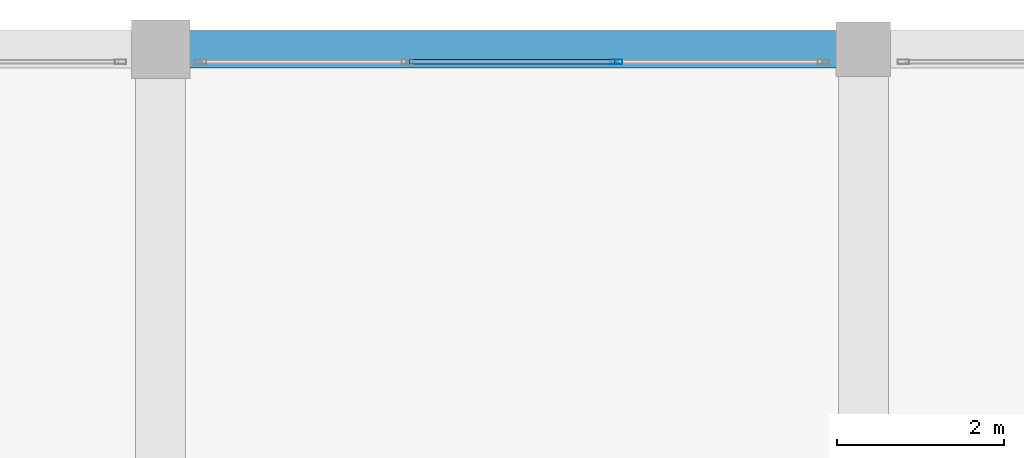
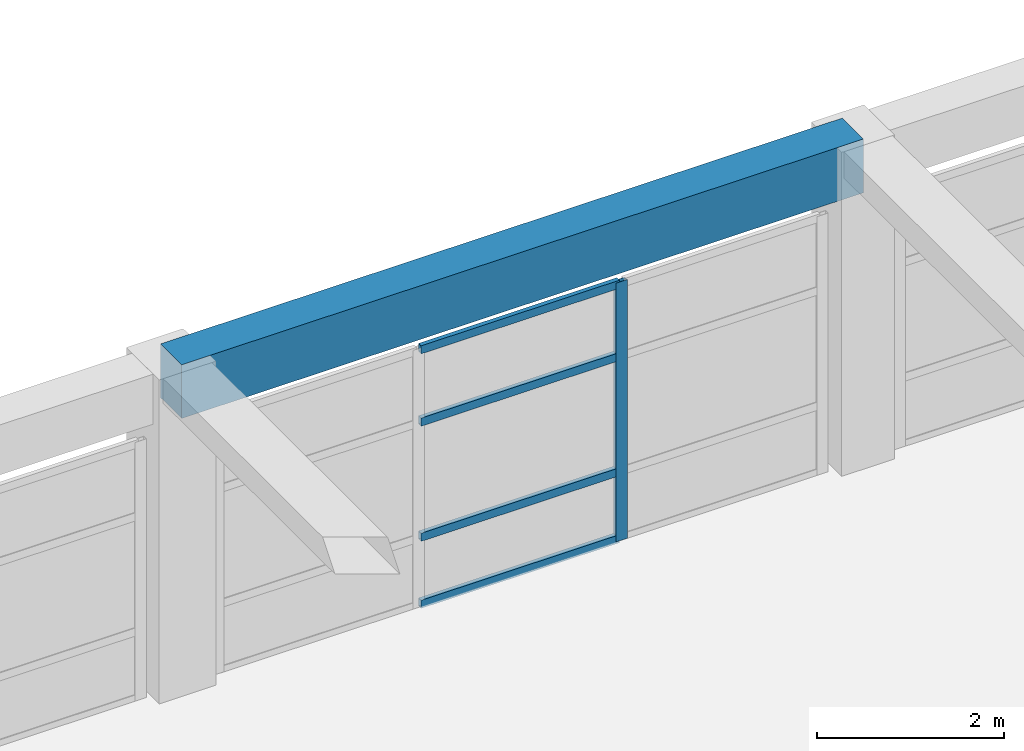
# One storey, part 60 of 85: 5 members, 1 beam, 1 element without a shape of its own.
"""IFC4 building model written with IfcOpenShell, lengths in metres."""

from ifc_helpers import new_model, si_unit, direction, frame, origin, origin_2d, place, context, subcontext, project, spatial, rectangle, hollow_rectangle, extrude, material, material_profile, profile_set, type_object, element, aggregate, save


model = new_model("IFC4")

# Units and contexts
model_context = context("Model", 3, precision=1e-05, world=origin(), true_north=direction((0.0, 1.0)))
body_context = subcontext(model_context, "Body", "Model", "MODEL_VIEW")
ifc_project = project(units=[si_unit("LENGTHUNIT", "METRE"), si_unit("AREAUNIT", "SQUARE_METRE"), si_unit("VOLUMEUNIT", "CUBIC_METRE"), si_unit("PLANEANGLEUNIT", "RADIAN"), si_unit("MASSUNIT", "GRAM", prefix="KILO")], contexts=[model_context])

# Site, building, storey
site_placement = place(None, origin())
site = spatial("IfcSite", under=ifc_project, at=site_placement, CompositionType="ELEMENT")
building_placement = place(site_placement, origin())
building = spatial("IfcBuilding", under=site, at=building_placement, Name="Almacenes y Pasaje Nevantli", CompositionType="ELEMENT")
storey_placement = place(building_placement, frame((0.0, 0.0, 22.199951171875)))
storey = spatial("IfcBuildingStorey", under=building, at=storey_placement, Name="L05", CompositionType="ELEMENT", Elevation=22.199951171875)

# Beam
ifc_material_1 = material(Name="Concrete C35/45", Category="concrete")
ifc_material_profile_1 = material_profile(ifc_material_1, rectangle(XDim=0.449951171875, YDim=0.699951171875, at=origin_2d()), Name="RC-BM-450x700")
ifc_profile_set_1 = profile_set([ifc_material_profile_1], Name="Concrete C35/45")
beam_type = type_object("IfcBeamType", Name="BM-RC-450x700", PredefinedType="SPANDREL", material=ifc_profile_set_1)
beam_placement = place(storey_placement, frame((134.39990234375, 117.60009765625, 3.8701171875), z_axis=(1.0, 0.0, 0.0), x_axis=(0.0, 1.0, 0.0)))
element("IfcBeam", 1, at=beam_placement, inside=storey, type_object=beam_type, Name="L05 East-West Reinforced Concrete Beam #3418", PredefinedType="SPANDREL", context=body_context, shape_type="SweptSolid", body=[
    extrude(rectangle(XDim=0.449951171875, YDim=0.699951171875, at=origin_2d()), origin(), (0.0, 0.0, 1.0), 8.400146484375),
])

# Curtain wall, members
ifc_material_2 = material(Name="Thermally Broken Aluminium and Low-E Glass", Category="aluminium")
curtain_wall_type = type_object("IfcCurtainWallType", Name="CW-UNIT-PODIUM", PredefinedType="USERDEFINED", material=ifc_material_2)
curtain_wall_placement = place(storey_placement, origin())
curtain_wall = element("IfcCurtainWall", 2, at=curtain_wall_placement, inside=storey, type_object=curtain_wall_type, Name="L05 Sky-Lobby North Curtain Wall Bay 17", ObjectType="UNITIZED CURTAIN WALL", PredefinedType="USERDEFINED")
ifc_material_3 = material(Name="Thermally Broken Anodized Aluminium", Category="aluminium")
ifc_material_profile_2 = material_profile(ifc_material_3, hollow_rectangle(XDim=0.054931640625, YDim=0.139892578125, WallThickness=0.00341796875, at=origin_2d()), Name="ALU-MUL-55x140")
ifc_profile_set_2 = profile_set([ifc_material_profile_2], Name="Thermally Broken Anodized Aluminium")
member_type_1 = type_object("IfcMemberType", Name="CW-MUL-160", PredefinedType="MULLION", material=ifc_profile_set_2)
member_1_placement = place(storey_placement, frame((139.85009765625, 117.449951171875, 0.0), z_axis=(0.0, 0.0, 1.0), x_axis=(0.0, 1.0, 0.0)))
member_1 = element("IfcMember", 3, at=member_1_placement, type_object=member_type_1, Name="CW-L05-090 mullion 3", PredefinedType="MULLION", context=body_context, shape_type="SweptSolid", body=[
    extrude(hollow_rectangle(XDim=0.054931640625, YDim=0.139892578125, WallThickness=0.00341796875, at=origin_2d()), origin(), (0.0, 0.0, 1.0), 3.3701171875),
])
ifc_material_4 = material(Name="Thermally Broken Anodized Aluminium", Category="aluminium")
ifc_material_profile_3 = material_profile(ifc_material_4, hollow_rectangle(XDim=0.054931640625, YDim=0.10498046875, WallThickness=0.003173828125, at=origin_2d()), Name="ALU-TRN-55x105")
ifc_profile_set_3 = profile_set([ifc_material_profile_3], Name="Thermally Broken Anodized Aluminium")
member_type_2 = type_object("IfcMemberType", Name="CW-TRN-120", PredefinedType="USERDEFINED", material=ifc_profile_set_3)
member_2_placement = place(storey_placement, frame((137.37744140625, 117.449951171875, 0.027587890625), z_axis=(1.0, 0.0, 0.0), x_axis=(0.0, 1.0, 0.0)))
member_2 = element("IfcMember", 4, at=member_2_placement, type_object=member_type_2, Name="CW-L05-090 transom 2.1", ObjectType="TRANSOM", PredefinedType="USERDEFINED", context=body_context, shape_type="SweptSolid", body=[
    extrude(hollow_rectangle(XDim=0.054931640625, YDim=0.10498046875, WallThickness=0.003173828125, at=origin_2d()), origin(), (0.0, 0.0, 1.0), 2.445068359375),
])
member_3_placement = place(storey_placement, frame((137.37744140625, 117.449951171875, 0.900146484375), z_axis=(1.0, 0.0, 0.0), x_axis=(0.0, 1.0, 0.0)))
member_3 = element("IfcMember", 5, at=member_3_placement, type_object=member_type_2, Name="CW-L05-090 transom 2.2", ObjectType="TRANSOM", PredefinedType="USERDEFINED", context=body_context, shape_type="SweptSolid", body=[
    extrude(hollow_rectangle(XDim=0.054931640625, YDim=0.10498046875, WallThickness=0.003173828125, at=origin_2d()), origin(), (0.0, 0.0, 1.0), 2.445068359375),
])
member_4_placement = place(storey_placement, frame((137.37744140625, 117.449951171875, 2.400146484375), z_axis=(1.0, 0.0, 0.0), x_axis=(0.0, 1.0, 0.0)))
member_4 = element("IfcMember", 6, at=member_4_placement, type_object=member_type_2, Name="CW-L05-090 transom 2.3", ObjectType="TRANSOM", PredefinedType="USERDEFINED", context=body_context, shape_type="SweptSolid", body=[
    extrude(hollow_rectangle(XDim=0.054931640625, YDim=0.10498046875, WallThickness=0.003173828125, at=origin_2d()), origin(), (0.0, 0.0, 1.0), 2.445068359375),
])
member_5_placement = place(storey_placement, frame((137.37744140625, 117.449951171875, 3.342529296875), z_axis=(1.0, 0.0, 0.0), x_axis=(0.0, 1.0, 0.0)))
member_5 = element("IfcMember", 7, at=member_5_placement, type_object=member_type_2, Name="CW-L05-090 transom 2.4", ObjectType="TRANSOM", PredefinedType="USERDEFINED", context=body_context, shape_type="SweptSolid", body=[
    extrude(hollow_rectangle(XDim=0.054931640625, YDim=0.10498046875, WallThickness=0.003173828125, at=origin_2d()), origin(), (0.0, 0.0, 1.0), 2.445068359375),
])
aggregate(curtain_wall, [member_1, member_2, member_3, member_4, member_5])

save(model, "model.ifc")
